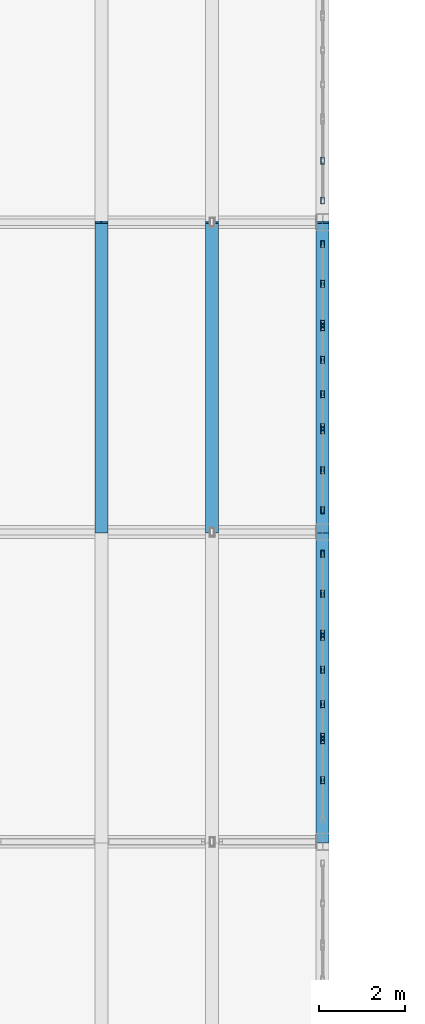
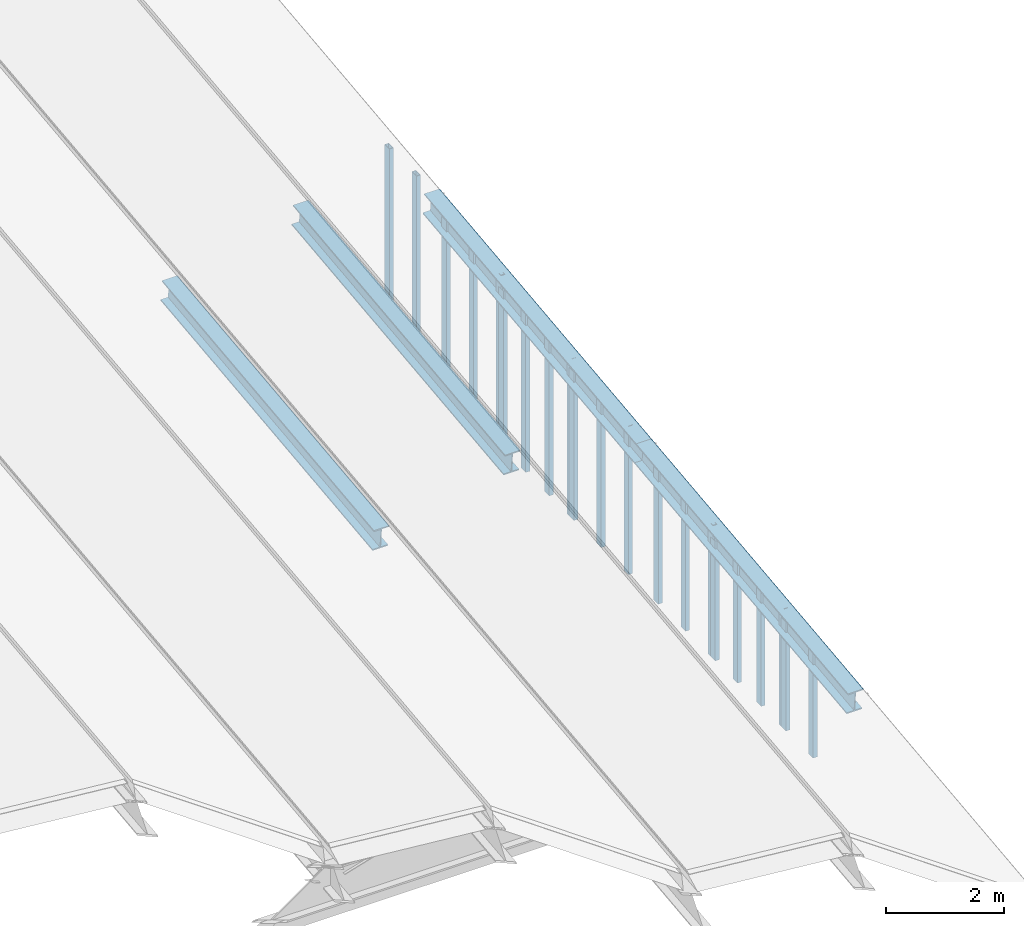
# One storey, part 15 of 48: 21 members, 4 beams, 7 elements without a shape of their own.
"""IFC4 building model written with IfcOpenShell, lengths in metres."""

from ifc_helpers import new_model, si_unit, direction, frame, origin, origin_2d, place, context, subcontext, project, spatial, hollow_rectangle, i_section, extrude, material, layer, layer_set, material_profile, profile_set, type_object, element, aggregate, save


model = new_model("IFC4")

# Units and contexts
model_context = context("Model", 3, precision=1e-05, world=origin(), true_north=direction((0.0, 1.0)))
body_context = subcontext(model_context, "Body", "Model", "MODEL_VIEW")
ifc_project = project(units=[si_unit("LENGTHUNIT", "METRE"), si_unit("AREAUNIT", "SQUARE_METRE"), si_unit("VOLUMEUNIT", "CUBIC_METRE"), si_unit("PLANEANGLEUNIT", "RADIAN"), si_unit("MASSUNIT", "GRAM", prefix="KILO"), si_unit("THERMODYNAMICTEMPERATUREUNIT", "KELVIN"), si_unit("POWERUNIT", "WATT")], contexts=[model_context])

# Site, building, storey
site_placement = place(None, origin())
site = spatial("IfcSite", under=ifc_project, at=site_placement, CompositionType="ELEMENT")
building_placement = place(site_placement, origin())
building = spatial("IfcBuilding", under=site, at=building_placement, Name="Kaldorven Railside Theatre", CompositionType="ELEMENT")
storey_placement = place(building_placement, frame((0.0, 0.0, 18.89990234375)))
storey = spatial("IfcBuildingStorey", under=building, at=storey_placement, Name="L04", CompositionType="ELEMENT", Elevation=18.89990234375)

# Beams
ifc_material_1 = material(Name="Steel S355", Category="steel")
ifc_material_profile_1 = material_profile(ifc_material_1, i_section(OverallWidth=0.300048828125, OverallDepth=0.449951171875, WebThickness=0.013916015625, FlangeThickness=0.02587890625, at=origin_2d()), Name="HEB 450")
ifc_profile_set_1 = profile_set([ifc_material_profile_1], Name="Steel S355")
beam_type = type_object("IfcBeamType", Name="BM-HEB450", PredefinedType="BEAM", material=ifc_profile_set_1)
for number, where, z_axis, x_axis, name in (
    (1, (118.05712890625, 69.60009765625, 2.824462890625), (0.0, 0.993579716392, 0.113134199846), (-1.0, 0.0, 0.0), "V1 Folded-Plate Valley Girder VB-082"),
    (2, (120.62841796875, 69.60009765625, 3.489501953125), (0.0, 0.993579716392, 0.113134199846), (-1.0, 0.0, 0.0), "V1 Folded-Plate Ridge Girder RB-088"),
):
    element("IfcBeam", number, at=place(storey_placement, frame(where, z_axis=z_axis, x_axis=x_axis)), inside=storey, type_object=beam_type, Name=name, PredefinedType="BEAM", context=body_context, shape_type="SweptSolid", body=[
        extrude(i_section(OverallWidth=0.300048828125, OverallDepth=0.449951171875, WebThickness=0.013916015625, FlangeThickness=0.02587890625, at=origin_2d()), origin(), (0.0, 0.0, 1.0), 7.24658203125),
    ])
beam_1_placement = place(storey_placement, frame((123.199951171875, 62.39990234375, 2.00439453125), z_axis=(0.0, 0.993576360175, 0.113163671295), x_axis=(-1.0, 0.0, 0.0)))
element("IfcBeam", 3, at=beam_1_placement, inside=storey, type_object=beam_type, Name="V1 Folded-Plate Valley Girder VB-093", PredefinedType="BEAM", context=body_context, shape_type="SweptSolid", body=[
    extrude(i_section(OverallWidth=0.300048828125, OverallDepth=0.449951171875, WebThickness=0.013916015625, FlangeThickness=0.02587890625, at=origin_2d()), origin(), (0.0, 0.0, 1.0), 7.246826171875),
])
beam_2_placement = place(storey_placement, frame((123.199951171875, 69.60009765625, 2.824462890625), z_axis=(0.0, 0.993579716392, 0.113134199846), x_axis=(-1.0, 0.0, 0.0)))
element("IfcBeam", 4, at=beam_2_placement, inside=storey, type_object=beam_type, Name="V1 Folded-Plate Valley Girder VB-094", PredefinedType="BEAM", context=body_context, shape_type="SweptSolid", body=[
    extrude(i_section(OverallWidth=0.300048828125, OverallDepth=0.449951171875, WebThickness=0.013916015625, FlangeThickness=0.02587890625, at=origin_2d()), origin(), (0.0, 0.0, 1.0), 7.24658203125),
])

# Curtain wall, members
ifc_material_2 = material(Name="Low-E laminated solar-control glass", Category="glass")
ifc_layer_1 = layer(ifc_material_2, 0.159912109375, Name="Low-E laminated solar-control glass")
ifc_layer_set_1 = layer_set([ifc_layer_1], Name="Low-E laminated solar-control glass")
curtain_wall_type_1 = type_object("IfcCurtainWallType", Name="CWT-32", PredefinedType="USERDEFINED", material=ifc_layer_set_1)
curtain_wall_1_placement = place(storey_placement, origin())
curtain_wall_1 = element("IfcCurtainWall", 5, at=curtain_wall_1_placement, inside=storey, type_object=curtain_wall_type_1, Name="Main Theatre East Eave Clerestory CWG-024", ObjectType="FLUTED GLAZING", PredefinedType="USERDEFINED")
ifc_material_3 = material(Name="Anodised bronze aluminium", Category="aluminium")
ifc_material_profile_2 = material_profile(ifc_material_3, hollow_rectangle(XDim=0.080078125, YDim=0.159912109375, WallThickness=0.00634765625, at=origin_2d()), Name="RHS 160x80x6.3")
ifc_profile_set_2 = profile_set([ifc_material_profile_2], Name="Anodised bronze aluminium")
member_type = type_object("IfcMemberType", Name="CWM-160", PredefinedType="MULLION", material=ifc_profile_set_2)
member_1_placement = place(storey_placement, frame((123.199951171875, 63.83251953125, 0.02001953125), z_axis=(0.0, 0.0, 1.0), x_axis=(-1.0, 0.0, 0.0)))
member_1 = element("IfcMember", 6, at=member_1_placement, type_object=member_type, Name="CWG-024 mullion 2", PredefinedType="MULLION", context=body_context, shape_type="SweptSolid", body=[
    extrude(hollow_rectangle(XDim=0.080078125, YDim=0.159912109375, WallThickness=0.00634765625, at=origin_2d()), origin(), (0.0, 0.0, 1.0), 2.260009765625),
])
member_2_placement = place(storey_placement, frame((123.199951171875, 64.760009765625, 0.02001953125), z_axis=(0.0, 0.0, 1.0), x_axis=(-1.0, 0.0, 0.0)))
member_2 = element("IfcMember", 7, at=member_2_placement, type_object=member_type, Name="CWG-024 mullion 3", PredefinedType="MULLION", context=body_context, shape_type="SweptSolid", body=[
    extrude(hollow_rectangle(XDim=0.080078125, YDim=0.159912109375, WallThickness=0.00634765625, at=origin_2d()), origin(), (0.0, 0.0, 1.0), 2.260009765625),
])
aggregate(curtain_wall_1, [member_1, member_2])

ifc_layer_2 = layer(ifc_material_2, 0.159912109375, Name="Low-E laminated solar-control glass")
ifc_layer_set_2 = layer_set([ifc_layer_2], Name="Low-E laminated solar-control glass")
curtain_wall_type_2 = type_object("IfcCurtainWallType", Name="CWT-33", PredefinedType="USERDEFINED", material=ifc_layer_set_2)
curtain_wall_2_placement = place(storey_placement, origin())
curtain_wall_2 = element("IfcCurtainWall", 8, at=curtain_wall_2_placement, inside=storey, type_object=curtain_wall_type_2, Name="Main Theatre East Eave Clerestory CWG-025", ObjectType="FLUTED GLAZING", PredefinedType="USERDEFINED")
member_3_placement = place(storey_placement, frame((123.199951171875, 64.840087890625, 0.02001953125), z_axis=(0.0, 0.0, 1.0), x_axis=(-1.0, 0.0, 0.0)))
member_3 = element("IfcMember", 9, at=member_3_placement, type_object=member_type, Name="CWG-025 mullion 1", PredefinedType="MULLION", context=body_context, shape_type="SweptSolid", body=[
    extrude(hollow_rectangle(XDim=0.080078125, YDim=0.159912109375, WallThickness=0.00634765625, at=origin_2d()), origin(), (0.0, 0.0, 1.0), 2.47998046875),
])
member_4_placement = place(storey_placement, frame((123.199951171875, 65.60009765625, 0.02001953125), z_axis=(0.0, 0.0, 1.0), x_axis=(-1.0, 0.0, 0.0)))
member_4 = element("IfcMember", 10, at=member_4_placement, type_object=member_type, Name="CWG-025 mullion 2", PredefinedType="MULLION", context=body_context, shape_type="SweptSolid", body=[
    extrude(hollow_rectangle(XDim=0.080078125, YDim=0.159912109375, WallThickness=0.00634765625, at=origin_2d()), origin(), (0.0, 0.0, 1.0), 2.47998046875),
])
member_5_placement = place(storey_placement, frame((123.199951171875, 66.39990234375, 0.02001953125), z_axis=(0.0, 0.0, 1.0), x_axis=(-1.0, 0.0, 0.0)))
member_5 = element("IfcMember", 11, at=member_5_placement, type_object=member_type, Name="CWG-025 mullion 3", PredefinedType="MULLION", context=body_context, shape_type="SweptSolid", body=[
    extrude(hollow_rectangle(XDim=0.080078125, YDim=0.159912109375, WallThickness=0.00634765625, at=origin_2d()), origin(), (0.0, 0.0, 1.0), 2.47998046875),
])
member_6_placement = place(storey_placement, frame((123.199951171875, 67.159912109375, 0.02001953125), z_axis=(0.0, 0.0, 1.0), x_axis=(-1.0, 0.0, 0.0)))
member_6 = element("IfcMember", 12, at=member_6_placement, type_object=member_type, Name="CWG-025 mullion 4", PredefinedType="MULLION", context=body_context, shape_type="SweptSolid", body=[
    extrude(hollow_rectangle(XDim=0.080078125, YDim=0.159912109375, WallThickness=0.00634765625, at=origin_2d()), origin(), (0.0, 0.0, 1.0), 2.47998046875),
])
aggregate(curtain_wall_2, [member_3, member_4, member_5, member_6])

ifc_layer_3 = layer(ifc_material_2, 0.159912109375, Name="Low-E laminated solar-control glass")
ifc_layer_set_3 = layer_set([ifc_layer_3], Name="Low-E laminated solar-control glass")
curtain_wall_type_3 = type_object("IfcCurtainWallType", Name="CWT-34", PredefinedType="USERDEFINED", material=ifc_layer_set_3)
curtain_wall_3_placement = place(storey_placement, origin())
curtain_wall_3 = element("IfcCurtainWall", 13, at=curtain_wall_3_placement, inside=storey, type_object=curtain_wall_type_3, Name="Main Theatre East Eave Clerestory CWG-026", ObjectType="FLUTED GLAZING", PredefinedType="USERDEFINED")
member_7_placement = place(storey_placement, frame((123.199951171875, 67.239990234375, 0.02001953125), z_axis=(0.0, 0.0, 1.0), x_axis=(-1.0, 0.0, 0.0)))
member_7 = element("IfcMember", 14, at=member_7_placement, type_object=member_type, Name="CWG-026 mullion 1", PredefinedType="MULLION", context=body_context, shape_type="SweptSolid", body=[
    extrude(hollow_rectangle(XDim=0.080078125, YDim=0.159912109375, WallThickness=0.00634765625, at=origin_2d()), origin(), (0.0, 0.0, 1.0), 2.760009765625),
])
member_8_placement = place(storey_placement, frame((123.199951171875, 68.16748046875, 0.02001953125), z_axis=(0.0, 0.0, 1.0), x_axis=(-1.0, 0.0, 0.0)))
member_8 = element("IfcMember", 15, at=member_8_placement, type_object=member_type, Name="CWG-026 mullion 2", PredefinedType="MULLION", context=body_context, shape_type="SweptSolid", body=[
    extrude(hollow_rectangle(XDim=0.080078125, YDim=0.159912109375, WallThickness=0.00634765625, at=origin_2d()), origin(), (0.0, 0.0, 1.0), 2.760009765625),
])
member_9_placement = place(storey_placement, frame((123.199951171875, 69.094970703125, 0.02001953125), z_axis=(0.0, 0.0, 1.0), x_axis=(-1.0, 0.0, 0.0)))
member_9 = element("IfcMember", 16, at=member_9_placement, type_object=member_type, Name="CWG-026 mullion 3", PredefinedType="MULLION", context=body_context, shape_type="SweptSolid", body=[
    extrude(hollow_rectangle(XDim=0.080078125, YDim=0.159912109375, WallThickness=0.00634765625, at=origin_2d()), origin(), (0.0, 0.0, 1.0), 2.760009765625),
])
aggregate(curtain_wall_3, [member_7, member_8, member_9])

ifc_layer_4 = layer(ifc_material_2, 0.159912109375, Name="Low-E laminated solar-control glass")
ifc_layer_set_4 = layer_set([ifc_layer_4], Name="Low-E laminated solar-control glass")
curtain_wall_type_4 = type_object("IfcCurtainWallType", Name="CWT-35", PredefinedType="USERDEFINED", material=ifc_layer_set_4)
curtain_wall_4_placement = place(storey_placement, origin())
curtain_wall_4 = element("IfcCurtainWall", 17, at=curtain_wall_4_placement, inside=storey, type_object=curtain_wall_type_4, Name="Main Theatre East Eave Clerestory CWG-027", ObjectType="FLUTED GLAZING", PredefinedType="USERDEFINED")
member_10_placement = place(storey_placement, frame((123.199951171875, 70.10498046875, 0.02001953125), z_axis=(0.0, 0.0, 1.0), x_axis=(-1.0, 0.0, 0.0)))
member_10 = element("IfcMember", 18, at=member_10_placement, type_object=member_type, Name="CWG-027 mullion 1", PredefinedType="MULLION", context=body_context, shape_type="SweptSolid", body=[
    extrude(hollow_rectangle(XDim=0.080078125, YDim=0.159912109375, WallThickness=0.00634765625, at=origin_2d()), origin(), (0.0, 0.0, 1.0), 3.080078125),
])
member_11_placement = place(storey_placement, frame((123.199951171875, 71.032470703125, 0.02001953125), z_axis=(0.0, 0.0, 1.0), x_axis=(-1.0, 0.0, 0.0)))
member_11 = element("IfcMember", 19, at=member_11_placement, type_object=member_type, Name="CWG-027 mullion 2", PredefinedType="MULLION", context=body_context, shape_type="SweptSolid", body=[
    extrude(hollow_rectangle(XDim=0.080078125, YDim=0.159912109375, WallThickness=0.00634765625, at=origin_2d()), origin(), (0.0, 0.0, 1.0), 3.080078125),
])
member_12_placement = place(storey_placement, frame((123.199951171875, 71.9599609375, 0.02001953125), z_axis=(0.0, 0.0, 1.0), x_axis=(-1.0, 0.0, 0.0)))
member_12 = element("IfcMember", 20, at=member_12_placement, type_object=member_type, Name="CWG-027 mullion 3", PredefinedType="MULLION", context=body_context, shape_type="SweptSolid", body=[
    extrude(hollow_rectangle(XDim=0.080078125, YDim=0.159912109375, WallThickness=0.00634765625, at=origin_2d()), origin(), (0.0, 0.0, 1.0), 3.080078125),
])
aggregate(curtain_wall_4, [member_10, member_11, member_12])

ifc_layer_5 = layer(ifc_material_2, 0.159912109375, Name="Low-E laminated solar-control glass")
ifc_layer_set_5 = layer_set([ifc_layer_5], Name="Low-E laminated solar-control glass")
curtain_wall_type_5 = type_object("IfcCurtainWallType", Name="CWT-36", PredefinedType="USERDEFINED", material=ifc_layer_set_5)
curtain_wall_5_placement = place(storey_placement, origin())
curtain_wall_5 = element("IfcCurtainWall", 21, at=curtain_wall_5_placement, inside=storey, type_object=curtain_wall_type_5, Name="Main Theatre East Eave Clerestory CWG-028", ObjectType="FLUTED GLAZING", PredefinedType="USERDEFINED")
member_13_placement = place(storey_placement, frame((123.199951171875, 72.0400390625, 0.02001953125), z_axis=(0.0, 0.0, 1.0), x_axis=(-1.0, 0.0, 0.0)))
member_13 = element("IfcMember", 22, at=member_13_placement, type_object=member_type, Name="CWG-028 mullion 1", PredefinedType="MULLION", context=body_context, shape_type="SweptSolid", body=[
    extrude(hollow_rectangle(XDim=0.080078125, YDim=0.159912109375, WallThickness=0.00634765625, at=origin_2d()), origin(), (0.0, 0.0, 1.0), 3.300048828125),
])
member_14_placement = place(storey_placement, frame((123.199951171875, 72.800048828125, 0.02001953125), z_axis=(0.0, 0.0, 1.0), x_axis=(-1.0, 0.0, 0.0)))
member_14 = element("IfcMember", 23, at=member_14_placement, type_object=member_type, Name="CWG-028 mullion 2", PredefinedType="MULLION", context=body_context, shape_type="SweptSolid", body=[
    extrude(hollow_rectangle(XDim=0.080078125, YDim=0.159912109375, WallThickness=0.00634765625, at=origin_2d()), origin(), (0.0, 0.0, 1.0), 3.300048828125),
])
member_15_placement = place(storey_placement, frame((123.199951171875, 73.60009765625, 0.02001953125), z_axis=(0.0, 0.0, 1.0), x_axis=(-1.0, 0.0, 0.0)))
member_15 = element("IfcMember", 24, at=member_15_placement, type_object=member_type, Name="CWG-028 mullion 3", PredefinedType="MULLION", context=body_context, shape_type="SweptSolid", body=[
    extrude(hollow_rectangle(XDim=0.080078125, YDim=0.159912109375, WallThickness=0.00634765625, at=origin_2d()), origin(), (0.0, 0.0, 1.0), 3.300048828125),
])
member_16_placement = place(storey_placement, frame((123.199951171875, 74.360107421875, 0.02001953125), z_axis=(0.0, 0.0, 1.0), x_axis=(-1.0, 0.0, 0.0)))
member_16 = element("IfcMember", 25, at=member_16_placement, type_object=member_type, Name="CWG-028 mullion 4", PredefinedType="MULLION", context=body_context, shape_type="SweptSolid", body=[
    extrude(hollow_rectangle(XDim=0.080078125, YDim=0.159912109375, WallThickness=0.00634765625, at=origin_2d()), origin(), (0.0, 0.0, 1.0), 3.300048828125),
])
aggregate(curtain_wall_5, [member_13, member_14, member_15, member_16])

ifc_layer_6 = layer(ifc_material_2, 0.159912109375, Name="Low-E laminated solar-control glass")
ifc_layer_set_6 = layer_set([ifc_layer_6], Name="Low-E laminated solar-control glass")
curtain_wall_type_6 = type_object("IfcCurtainWallType", Name="CWT-37", PredefinedType="USERDEFINED", material=ifc_layer_set_6)
curtain_wall_6_placement = place(storey_placement, origin())
curtain_wall_6 = element("IfcCurtainWall", 26, at=curtain_wall_6_placement, inside=storey, type_object=curtain_wall_type_6, Name="Main Theatre East Eave Clerestory CWG-029", ObjectType="FLUTED GLAZING", PredefinedType="USERDEFINED")
member_17_placement = place(storey_placement, frame((123.199951171875, 74.43994140625, 0.02001953125), z_axis=(0.0, 0.0, 1.0), x_axis=(-1.0, 0.0, 0.0)))
member_17 = element("IfcMember", 27, at=member_17_placement, type_object=member_type, Name="CWG-029 mullion 1", PredefinedType="MULLION", context=body_context, shape_type="SweptSolid", body=[
    extrude(hollow_rectangle(XDim=0.080078125, YDim=0.159912109375, WallThickness=0.00634765625, at=origin_2d()), origin(), (0.0, 0.0, 1.0), 3.580078125),
])
member_18_placement = place(storey_placement, frame((123.199951171875, 75.367431640625, 0.02001953125), z_axis=(0.0, 0.0, 1.0), x_axis=(-1.0, 0.0, 0.0)))
member_18 = element("IfcMember", 28, at=member_18_placement, type_object=member_type, Name="CWG-029 mullion 2", PredefinedType="MULLION", context=body_context, shape_type="SweptSolid", body=[
    extrude(hollow_rectangle(XDim=0.080078125, YDim=0.159912109375, WallThickness=0.00634765625, at=origin_2d()), origin(), (0.0, 0.0, 1.0), 3.580078125),
])
member_19_placement = place(storey_placement, frame((123.199951171875, 76.294921875, 0.02001953125), z_axis=(0.0, 0.0, 1.0), x_axis=(-1.0, 0.0, 0.0)))
member_19 = element("IfcMember", 29, at=member_19_placement, type_object=member_type, Name="CWG-029 mullion 3", PredefinedType="MULLION", context=body_context, shape_type="SweptSolid", body=[
    extrude(hollow_rectangle(XDim=0.080078125, YDim=0.159912109375, WallThickness=0.00634765625, at=origin_2d()), origin(), (0.0, 0.0, 1.0), 3.580078125),
])
aggregate(curtain_wall_6, [member_17, member_18, member_19])

ifc_layer_7 = layer(ifc_material_2, 0.159912109375, Name="Low-E laminated solar-control glass")
ifc_layer_set_7 = layer_set([ifc_layer_7], Name="Low-E laminated solar-control glass")
curtain_wall_type_7 = type_object("IfcCurtainWallType", Name="CWT-38", PredefinedType="USERDEFINED", material=ifc_layer_set_7)
curtain_wall_7_placement = place(storey_placement, origin())
curtain_wall_7 = element("IfcCurtainWall", 30, at=curtain_wall_7_placement, inside=storey, type_object=curtain_wall_type_7, Name="Main Theatre East Eave Clerestory CWG-030", ObjectType="FLUTED GLAZING", PredefinedType="USERDEFINED")
member_20_placement = place(storey_placement, frame((123.199951171875, 77.304931640625, 0.02001953125), z_axis=(0.0, 0.0, 1.0), x_axis=(-1.0, 0.0, 0.0)))
member_20 = element("IfcMember", 31, at=member_20_placement, type_object=member_type, Name="CWG-030 mullion 1", PredefinedType="MULLION", context=body_context, shape_type="SweptSolid", body=[
    extrude(hollow_rectangle(XDim=0.080078125, YDim=0.159912109375, WallThickness=0.00634765625, at=origin_2d()), origin(), (0.0, 0.0, 1.0), 3.900146484375),
])
member_21_placement = place(storey_placement, frame((123.199951171875, 78.232421875, 0.02001953125), z_axis=(0.0, 0.0, 1.0), x_axis=(-1.0, 0.0, 0.0)))
member_21 = element("IfcMember", 32, at=member_21_placement, type_object=member_type, Name="CWG-030 mullion 2", PredefinedType="MULLION", context=body_context, shape_type="SweptSolid", body=[
    extrude(hollow_rectangle(XDim=0.080078125, YDim=0.159912109375, WallThickness=0.00634765625, at=origin_2d()), origin(), (0.0, 0.0, 1.0), 3.900146484375),
])
aggregate(curtain_wall_7, [member_20, member_21])

save(model, "model.ifc")
